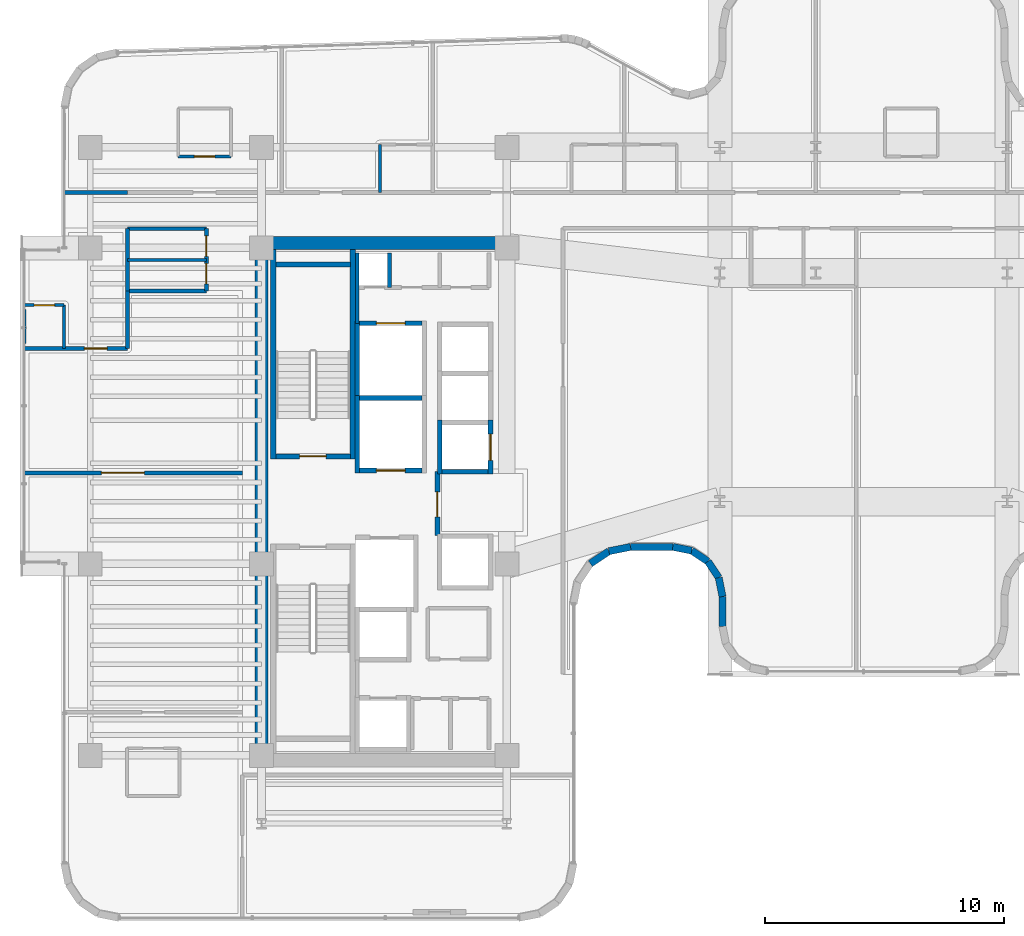
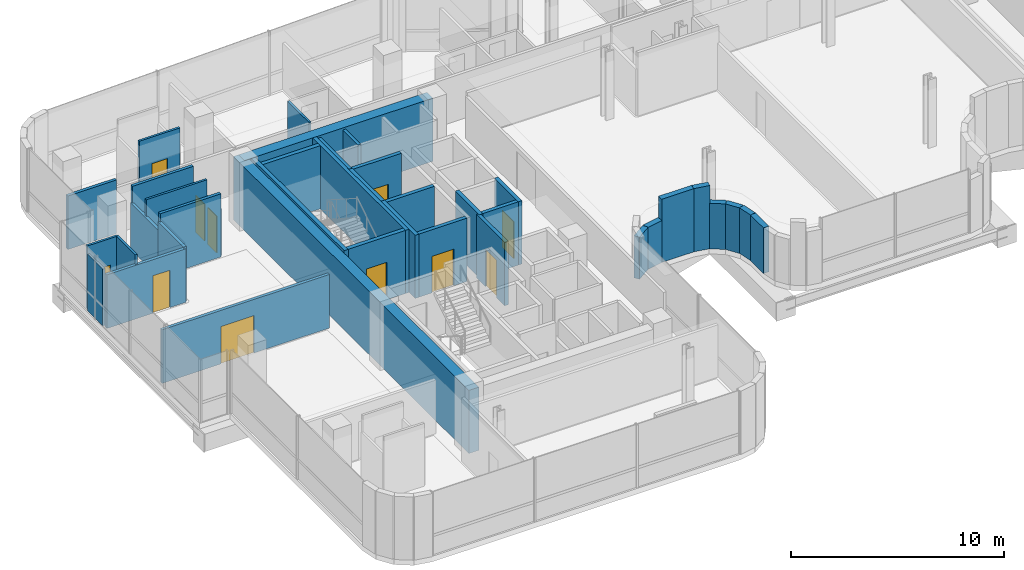
# One storey, part 27 of 36: 39 walls, 11 doors, 11 openings.
"""IFC4 building model written with IfcOpenShell, lengths in metres."""

from ifc_helpers import new_model, si_unit, direction, frame, frame_2d, origin, place, context, subcontext, project, spatial, rectangle, extrude, material, layer, layer_set, type_object, element, fill, save


model = new_model("IFC4")

# Units and contexts
model_context = context("Model", 3, precision=1e-05, world=origin(), true_north=direction((0.0, 1.0)))
body_context = subcontext(model_context, "Body", "Model", "MODEL_VIEW")
ifc_project = project(units=[si_unit("LENGTHUNIT", "METRE"), si_unit("AREAUNIT", "SQUARE_METRE"), si_unit("VOLUMEUNIT", "CUBIC_METRE"), si_unit("PLANEANGLEUNIT", "RADIAN"), si_unit("MASSUNIT", "GRAM", prefix="KILO")], contexts=[model_context])

# Site, building, storey
site_placement = place(None, origin())
site = spatial("IfcSite", under=ifc_project, at=site_placement, CompositionType="ELEMENT")
building_placement = place(site_placement, origin())
building = spatial("IfcBuilding", under=site, at=building_placement, Name="Valdorenza Pilgrim Sanctuary Tower", CompositionType="ELEMENT")
storey_placement = place(building_placement, frame((0.0, 0.0, 176.550048828125)))
storey = spatial("IfcBuildingStorey", under=building, at=storey_placement, Name="L45", CompositionType="ELEMENT", Elevation=176.550048828125)

# Walls
ifc_material_1 = material(Name="Acoustic twin-stud gypsum partition", Category="gypsum")
ifc_layer_1 = layer(ifc_material_1, 0.159912109375, Name="Acoustic twin-stud gypsum partition")
ifc_layer_set_1 = layer_set([ifc_layer_1], Name="Acoustic twin-stud gypsum partition")
wall_type_1 = type_object("IfcWallType", Name="WAL-COR-160", PredefinedType="PARTITIONING", material=ifc_layer_set_1)
wall_1_placement = place(storey_placement, frame((-18.64990234375, 7.449951171875, 0.0), z_axis=(0.0, 0.0, 1.0), x_axis=(0.0, 1.0, 0.0)))
element("IfcWall", 1, at=wall_1_placement, inside=storey, type_object=wall_type_1, Name="L45 Core A North Service West Wall", PredefinedType="PARTITIONING", context=body_context, shape_type="SweptSolid", body=[
    extrude(rectangle(XDim=2.929931640625, YDim=0.159912109375, at=frame_2d((1.46484375, 0.0))), origin(), (0.0, 0.0, 1.0), 3.6298828125),
])
wall_2_placement = place(storey_placement, frame((-17.300048828125, 8.949951171875, 0.0), z_axis=(0.0, 0.0, 1.0), x_axis=(0.0, 1.0, 0.0)))
element("IfcWall", 2, at=wall_2_placement, inside=storey, type_object=wall_type_1, Name="L45 Core Electrical Riser Wall", PredefinedType="PARTITIONING", context=body_context, shape_type="SweptSolid", body=[
    extrude(rectangle(XDim=1.429931640625, YDim=0.159912109375, at=frame_2d((0.71484375, 0.0))), origin(), (0.0, 0.0, 1.0), 3.6298828125),
])
wall_3_placement = place(storey_placement, frame((-28.25, 8.800048828125, 0.0), z_axis=(0.0, 0.0, 1.0), x_axis=(0.0, 1.0, 0.0)))
element("IfcWall", 3, at=wall_3_placement, inside=storey, type_object=wall_type_1, Name="L45 Washroom West Wall", PredefinedType="PARTITIONING", context=body_context, shape_type="SweptSolid", body=[
    extrude(rectangle(XDim=2.599853515625, YDim=0.159912109375, at=frame_2d((1.2998046875, 0.0))), origin(), (0.0, 0.0, 1.0), 2.6650390625),
])

# Wall, openings, doors
wall_4_placement = place(storey_placement, frame((-24.949951171875, 8.800048828125, 0.0), z_axis=(0.0, 0.0, 1.0), x_axis=(0.0, 1.0, 0.0)))
wall_4 = element("IfcWall", 4, at=wall_4_placement, inside=storey, type_object=wall_type_1, Name="L45 Washroom East Wall", PredefinedType="PARTITIONING", context=body_context, shape_type="SweptSolid", body=[
    extrude(rectangle(XDim=2.599853515625, YDim=0.159912109375, at=frame_2d((1.2998046875, 0.0))), origin(), (0.0, 0.0, 1.0), 2.6650390625),
])
opening_1_placement = place(wall_4_placement, frame((0.300048828125, 0.0, 0.0)))
opening_1 = element("IfcOpeningElement", 5, at=opening_1_placement, cuts=wall_4, Name="Opening DR-WC1", PredefinedType="OPENING", context=body_context, shape_type="SweptSolid", body=[
    extrude(rectangle(XDim=0.85009765625, YDim=2.10009765625, at=frame_2d((0.425048828125, 1.050048828125))), frame((0.0, 0.0947265625, 0.0), z_axis=(0.0, -1.0, 0.0), x_axis=(1.0, 0.0, 0.0)), (0.0, 0.0, 1.0), 0.189697265625),
])
opening_2_placement = place(wall_4_placement, frame((1.449951171875, 0.0, 0.0)))
opening_2 = element("IfcOpeningElement", 6, at=opening_2_placement, cuts=wall_4, Name="Opening DR-WC1", PredefinedType="OPENING", context=body_context, shape_type="SweptSolid", body=[
    extrude(rectangle(XDim=0.85009765625, YDim=2.10009765625, at=frame_2d((0.425048828125, 1.050048828125))), frame((0.0, 0.0947265625, 0.0), z_axis=(0.0, -1.0, 0.0), x_axis=(1.0, 0.0, 0.0)), (0.0, 0.0, 1.0), 0.189697265625),
])
ifc_material_2 = material(Name="Moisture-resistant lacquered timber", Category="wood")
door_type_1 = type_object("IfcDoorType", Name="DR-BATH-850", OperationType="NOTDEFINED", PredefinedType="DOOR", material=ifc_material_2)
door_1_placement = place(opening_1_placement, origin())
door_1 = element("IfcDoor", 7, at=door_1_placement, inside=storey, type_object=door_type_1, Name="L45 Accessible Washroom Door", OperationType="SINGLE_SWING_LEFT", OverallHeight=2.10009765625, OverallWidth=0.85009765625, PredefinedType="DOOR", context=body_context, shape_type="SweptSolid", body=[
    extrude(rectangle(XDim=0.85009765625, YDim=2.10009765625, at=frame_2d((0.425048828125, 1.050048828125))), frame((0.0, 0.02490234375, 0.0), z_axis=(0.0, -1.0, 0.0), x_axis=(1.0, 0.0, 0.0)), (0.0, 0.0, 1.0), 0.050048828125),
])
fill(opening_1, door_1)
door_2_placement = place(opening_2_placement, origin())
door_2 = element("IfcDoor", 8, at=door_2_placement, inside=storey, type_object=door_type_1, Name="L45 Public Washroom Door", OperationType="SINGLE_SWING_RIGHT", OverallHeight=2.10009765625, OverallWidth=0.85009765625, PredefinedType="DOOR", context=body_context, shape_type="SweptSolid", body=[
    extrude(rectangle(XDim=0.85009765625, YDim=2.10009765625, at=frame_2d((0.425048828125, 1.050048828125))), frame((0.0, 0.02490234375, 0.0), z_axis=(0.0, -1.0, 0.0), x_axis=(1.0, 0.0, 0.0)), (0.0, 0.0, 1.0), 0.050048828125),
])
fill(opening_2, door_2)

# Walls
for number, where, z_axis, x_axis, name in (
    (9, (-28.25, 8.800048828125, 0.0), (0.0, 0.0, 1.0), (1.0, 0.0, 0.0), "L45 Washroom South Wall"),
    (10, (-28.25, 11.39990234375, 0.0), (0.0, 0.0, 1.0), (1.0, 0.0, 0.0), "L45 Washroom North Wall"),
):
    element("IfcWall", number, at=place(storey_placement, frame(where, z_axis=z_axis, x_axis=x_axis)), inside=storey, type_object=wall_type_1, Name=name, PredefinedType="PARTITIONING", context=body_context, shape_type="SweptSolid", body=[
        extrude(rectangle(XDim=3.300048828125, YDim=0.159912109375, at=frame_2d((1.64990234375, 0.0))), origin(), (0.0, 0.0, 1.0), 3.6298828125),
    ])

# Wall, opening, door
wall_5_placement = place(storey_placement, frame((-32.5400390625, 6.39990234375, 0.0), z_axis=(0.0, 0.0, 1.0), x_axis=(1.0, 0.0, 0.0)))
wall_5 = element("IfcWall", 11, at=wall_5_placement, inside=storey, type_object=wall_type_1, Name="L45 Cloister North Room Wall", PredefinedType="PARTITIONING", context=body_context, shape_type="SweptSolid", body=[
    extrude(rectangle(XDim=4.2900390625, YDim=0.159912109375, at=frame_2d((2.14501953125, 0.0))), origin(), (0.0, 0.0, 1.0), 3.075927734375),
])
opening_3_placement = place(wall_5_placement, frame((2.4951171875, 0.0, 0.0)))
opening_3 = element("IfcOpeningElement", 12, at=opening_3_placement, cuts=wall_5, Name="Opening DR-UN1", PredefinedType="OPENING", context=body_context, shape_type="SweptSolid", body=[
    extrude(rectangle(XDim=0.949951171875, YDim=2.14990234375, at=frame_2d((0.47509765625, 1.074951171875))), frame((0.0, 0.0947265625, 0.0), z_axis=(0.0, -1.0, 0.0), x_axis=(1.0, 0.0, 0.0)), (0.0, 0.0, 1.0), 0.189697265625),
])
ifc_material_3 = material(Name="Solid-core European oak timber", Category="wood")
door_type_2 = type_object("IfcDoorType", Name="DR-UNIT-950", OperationType="NOTDEFINED", PredefinedType="DOOR", material=ifc_material_3)
door_3_placement = place(opening_3_placement, frame((0.949951171875, 0.0, 0.0), z_axis=(0.0, 0.0, 1.0), x_axis=(-1.0, 0.0, 0.0)))
door_3 = element("IfcDoor", 13, at=door_3_placement, inside=storey, type_object=door_type_2, Name="L45 Pilgrim Guest Room L45-CN1 Entrance Door", OperationType="SINGLE_SWING_LEFT", OverallHeight=2.14990234375, OverallWidth=0.949951171875, PredefinedType="DOOR", context=body_context, shape_type="SweptSolid", body=[
    extrude(rectangle(XDim=0.949951171875, YDim=2.14990234375, at=frame_2d((0.47509765625, 1.074951171875))), frame((0.0, 0.02490234375, 0.0), z_axis=(0.0, -1.0, 0.0), x_axis=(1.0, 0.0, 0.0)), (0.0, 0.0, 1.0), 0.050048828125),
])
fill(opening_3, door_3)

# Wall
wall_6_placement = place(storey_placement, frame((-28.25, 6.39990234375, 0.0), z_axis=(0.0, 0.0, 1.0), x_axis=(0.0, 1.0, 0.0)))
element("IfcWall", 14, at=wall_6_placement, inside=storey, type_object=wall_type_1, Name="L45 Cloister NE Closure", PredefinedType="PARTITIONING", context=body_context, shape_type="SweptSolid", body=[
    extrude(rectangle(XDim=2.400146484375, YDim=0.159912109375, at=frame_2d((1.2001953125, 0.0))), origin(), (0.0, 0.0, 1.0), 3.157958984375),
])

# Wall, opening, door
wall_7_placement = place(storey_placement, frame((-32.5400390625, 1.199951171875, 0.0), z_axis=(0.0, 0.0, 1.0), x_axis=(1.0, 0.0, 0.0)))
wall_7 = element("IfcWall", 15, at=wall_7_placement, inside=storey, type_object=wall_type_1, Name="L45 Cloister Mid Wall", PredefinedType="PARTITIONING", context=body_context, shape_type="SweptSolid", body=[
    extrude(rectangle(XDim=9.090087890625, YDim=0.159912109375, at=frame_2d((4.544921875, 0.0))), origin(), (0.0, 0.0, 1.0), 3.075927734375),
])
opening_4_placement = place(wall_7_placement, frame((3.199951171875, 0.0, 0.0)))
opening_4 = element("IfcOpeningElement", 16, at=opening_4_placement, cuts=wall_7, Name="Opening DR-HL1", PredefinedType="OPENING", context=body_context, shape_type="SweptSolid", body=[
    extrude(rectangle(XDim=1.800048828125, YDim=2.14990234375, at=frame_2d((0.89990234375, 1.074951171875))), frame((0.0, 0.0947265625, 0.0), z_axis=(0.0, -1.0, 0.0), x_axis=(1.0, 0.0, 0.0)), (0.0, 0.0, 1.0), 0.189697265625),
])
ifc_material_4 = material(Name="Acoustic oak and vision-glass double door", Category="glass")
door_type_3 = type_object("IfcDoorType", Name="DR-HALL-1800", OperationType="NOTDEFINED", PredefinedType="DOOR", material=ifc_material_4)
door_4_placement = place(opening_4_placement, frame((1.800048828125, 0.0, 0.0), z_axis=(0.0, 0.0, 1.0), x_axis=(-1.0, 0.0, 0.0)))
door_4 = element("IfcDoor", 17, at=door_4_placement, inside=storey, type_object=door_type_3, Name="L45 Cloister Mid Double Door", OperationType="DOUBLE_DOOR_SINGLE_SWING", OverallHeight=2.14990234375, OverallWidth=1.800048828125, PredefinedType="DOOR", context=body_context, shape_type="SweptSolid", body=[
    extrude(rectangle(XDim=1.800048828125, YDim=2.14990234375, at=frame_2d((0.89990234375, 1.074951171875))), frame((0.0, 0.02490234375, 0.0), z_axis=(0.0, -1.0, 0.0), x_axis=(1.0, 0.0, 0.0)), (0.0, 0.0, 1.0), 0.050048828125),
])
fill(opening_4, door_4)

# Walls
wall_8_placement = place(storey_placement, frame((-30.889892578125, 12.919921875, 0.0), z_axis=(0.0, 0.0, 1.0), x_axis=(1.0, 0.0, 0.0)))
element("IfcWall", 18, at=wall_8_placement, inside=storey, type_object=wall_type_1, Name="L45 Cloister North Solid Partition", PredefinedType="PARTITIONING", context=body_context, shape_type="SweptSolid", body=[
    extrude(rectangle(XDim=2.639892578125, YDim=0.159912109375, at=frame_2d((1.31982421875, 0.0))), origin(), (0.0, 0.0, 1.0), 3.075927734375),
])
ifc_material_5 = material(Name="Concrete C50/60", Category="concrete")
ifc_layer_2 = layer(ifc_material_5, 0.550048828125, Name="Concrete C50/60")
ifc_layer_set_2 = layer_set([ifc_layer_2], Name="Concrete C50/60")
wall_type_2 = type_object("IfcWallType", Name="WAL-COR-550", PredefinedType="SHEAR", material=ifc_layer_set_2)
wall_9_placement = place(storey_placement, frame((-22.64990234375, -11.074951171875, 0.0), z_axis=(0.0, 0.0, 1.0), x_axis=(0.0, 1.0, 0.0)))
element("IfcWall", 19, at=wall_9_placement, inside=storey, type_object=wall_type_2, Name="L45 Split Core A Shear Wall W", PredefinedType="SHEAR", context=body_context, shape_type="SweptSolid", body=[
    extrude(rectangle(XDim=22.14990234375, YDim=0.550048828125, at=frame_2d((11.074951171875, 0.0))), origin(), (0.0, 0.0, 1.0), 3.6298828125),
])
wall_10_placement = place(storey_placement, frame((-22.64990234375, 10.800048828125, 0.0), z_axis=(0.0, 0.0, 1.0), x_axis=(1.0, 0.0, 0.0)))
element("IfcWall", 20, at=wall_10_placement, inside=storey, type_object=wall_type_2, Name="L45 Split Core A Shear Wall N", PredefinedType="SHEAR", context=body_context, shape_type="SweptSolid", body=[
    extrude(rectangle(XDim=10.25, YDim=0.550048828125, at=frame_2d((5.125, 0.0))), origin(), (0.0, 0.0, 1.0), 3.6298828125),
])
ifc_material_6 = material(Name="Honed travertine limestone", Category="masonry")
ifc_layer_3 = layer(ifc_material_6, 0.300048828125, Name="Honed travertine limestone")
ifc_layer_set_3 = layer_set([ifc_layer_3], Name="Honed travertine limestone")
wall_type_3 = type_object("IfcWallType", Name="WAL-EXT-300", PredefinedType="SOLIDWALL", material=ifc_layer_set_3)
wall_11_placement = place(storey_placement, frame((-3.389892578125, -5.213134765625, 0.0), z_axis=(0.0, 0.0, 1.0), x_axis=(0.0, 1.0, 0.0)))
element("IfcWall", 21, at=wall_11_placement, inside=storey, type_object=wall_type_3, Name="L45 Rounded Wind-Corner Stone Pier 67", PredefinedType="SOLIDWALL", context=body_context, shape_type="SweptSolid", body=[
    extrude(rectangle(XDim=1.248046875, YDim=0.300048828125, at=frame_2d((0.6240234375, 0.0))), origin(), (0.0, 0.0, 1.0), 2.614990234375),
])
wall_12_placement = place(storey_placement, frame((-3.389892578125, -3.965087890625, 0.0), z_axis=(0.0, 0.0, 1.0), x_axis=(-0.195356525272, 0.980732291726, 0.0)))
element("IfcWall", 22, at=wall_12_placement, inside=storey, type_object=wall_type_3, Name="L45 Rounded Wind-Corner Stone Pier 68", PredefinedType="SOLIDWALL", context=body_context, shape_type="SweptSolid", body=[
    extrude(rectangle(XDim=0.803466796875, YDim=0.300048828125, at=frame_2d((0.40185546875, 0.0))), origin(), (0.0, 0.0, 1.0), 2.614990234375),
])
for number, where, z_axis, x_axis, name in (
    (23, (-3.546875, -3.177001953125, 0.0), (0.0, 0.0, 1.0), (-0.555529688413, 0.831496701913, 0.0), "L45 Rounded Wind-Corner Stone Pier 69"),
    (24, (-3.99951171875, -2.49951171875, 0.0), (0.0, 0.0, 1.0), (-0.831496701913, 0.555529688413, 0.0), "L45 Rounded Wind-Corner Stone Pier 70"),
):
    element("IfcWall", number, at=place(storey_placement, frame(where, z_axis=z_axis, x_axis=x_axis)), inside=storey, type_object=wall_type_3, Name=name, PredefinedType="SOLIDWALL", context=body_context, shape_type="SweptSolid", body=[
        extrude(rectangle(XDim=0.814697265625, YDim=0.300048828125, at=frame_2d((0.4072265625, 0.0))), origin(), (0.0, 0.0, 1.0), 2.614990234375),
    ])
wall_13_placement = place(storey_placement, frame((-4.677001953125, -2.046875, 0.0), z_axis=(0.0, 0.0, 1.0), x_axis=(-0.980732291726, 0.195356525272, 0.0)))
element("IfcWall", 25, at=wall_13_placement, inside=storey, type_object=wall_type_3, Name="L45 Rounded Wind-Corner Stone Pier 71", PredefinedType="SOLIDWALL", context=body_context, shape_type="SweptSolid", body=[
    extrude(rectangle(XDim=0.803466796875, YDim=0.300048828125, at=frame_2d((0.40185546875, 0.0))), origin(), (0.0, 0.0, 1.0), 3.6298828125),
])
wall_14_placement = place(storey_placement, frame((-5.465087890625, -1.889892578125, 0.0), z_axis=(0.0, 0.0, 1.0), x_axis=(-1.0, 0.0, 0.0)))
element("IfcWall", 26, at=wall_14_placement, inside=storey, type_object=wall_type_3, Name="L45 Rounded Wind-Corner Stone Pier 72", PredefinedType="SOLIDWALL", context=body_context, shape_type="SweptSolid", body=[
    extrude(rectangle(XDim=1.765625, YDim=0.300048828125, at=frame_2d((0.8828125, 0.0))), origin(), (0.0, 0.0, 1.0), 3.6298828125),
])
wall_15_placement = place(storey_placement, frame((-7.230712890625, -1.889892578125, 0.0), z_axis=(0.0, 0.0, 1.0), x_axis=(-0.980743190895, -0.195301801101, 0.0)))
element("IfcWall", 27, at=wall_15_placement, inside=storey, type_object=wall_type_3, Name="L45 Rounded Wind-Corner Stone Pier 73", PredefinedType="SOLIDWALL", context=body_context, shape_type="SweptSolid", body=[
    extrude(rectangle(XDim=0.922607421875, YDim=0.300048828125, at=frame_2d((0.46142578125, 0.0))), origin(), (0.0, 0.0, 1.0), 2.4150390625),
])
wall_16_placement = place(storey_placement, frame((-8.135498046875, -2.070068359375, 0.0), z_axis=(0.0, 0.0, 1.0), x_axis=(-0.831607331814, -0.555364065883, 0.0)))
element("IfcWall", 28, at=wall_16_placement, inside=storey, type_object=wall_type_3, Name="L45 Rounded Wind-Corner Stone Pier 74", PredefinedType="SOLIDWALL", context=body_context, shape_type="SweptSolid", body=[
    extrude(rectangle(XDim=0.933349609375, YDim=0.300048828125, at=frame_2d((0.466796875, 0.0))), origin(), (0.0, 0.0, 1.0), 2.4150390625),
])

# Wall, opening, door
ifc_material_7 = material(Name="Gypsum shaftwall partition", Category="gypsum")
ifc_layer_4 = layer(ifc_material_7, 0.199951171875, Name="Gypsum shaftwall partition")
ifc_layer_set_4 = layer_set([ifc_layer_4], Name="Gypsum shaftwall partition")
wall_type_4 = type_object("IfcWallType", Name="WAL-FFL-200", PredefinedType="PARTITIONING", material=ifc_layer_set_4)
wall_17_placement = place(storey_placement, frame((-15.300048828125, -1.419921875, 0.0), z_axis=(0.0, 0.0, 1.0), x_axis=(0.0, 1.0, 0.0)))
wall_17 = element("IfcWall", 29, at=wall_17_placement, inside=storey, type_object=wall_type_4, Name="L45 Core A Firefighting Lobby East Wall", PredefinedType="PARTITIONING", context=body_context, shape_type="SweptSolid", body=[
    extrude(rectangle(XDim=2.669921875, YDim=0.199951171875, at=frame_2d((1.3349609375, 0.0))), origin(), (0.0, 0.0, 1.0), 3.6298828125),
])
opening_5_placement = place(wall_17_placement, frame((0.780029296875, 0.0, 0.0)))
opening_5 = element("IfcOpeningElement", 30, at=opening_5_placement, cuts=wall_17, Name="Opening DR-FL1", PredefinedType="OPENING", context=body_context, shape_type="SweptSolid", body=[
    extrude(rectangle(XDim=1.050048828125, YDim=2.14990234375, at=frame_2d((0.52490234375, 1.074951171875))), frame((0.0, 0.11474609375, 0.0), z_axis=(0.0, -1.0, 0.0), x_axis=(1.0, 0.0, 0.0)), (0.0, 0.0, 1.0), 0.229736328125),
])
ifc_material_8 = material(Name="Painted galvanized steel", Category="steel")
door_type_4 = type_object("IfcDoorType", Name="DR-FFL-1050", OperationType="NOTDEFINED", PredefinedType="DOOR", material=ifc_material_8)
door_5_placement = place(opening_5_placement, origin())
door_5 = element("IfcDoor", 31, at=door_5_placement, inside=storey, type_object=door_type_4, Name="L45 Core A Firefighting Lobby Door", OperationType="SINGLE_SWING_RIGHT", OverallHeight=2.14990234375, OverallWidth=1.050048828125, PredefinedType="DOOR", context=body_context, shape_type="SweptSolid", body=[
    extrude(rectangle(XDim=1.050048828125, YDim=2.14990234375, at=frame_2d((0.52490234375, 1.074951171875))), frame((0.0, 0.02490234375, 0.0), z_axis=(0.0, -1.0, 0.0), x_axis=(1.0, 0.0, 0.0)), (0.0, 0.0, 1.0), 0.050048828125),
])
fill(opening_5, door_5)

# Walls
ifc_material_9 = material(Name="Moisture-resistant gypsum partition", Category="gypsum")
ifc_layer_5 = layer(ifc_material_9, 0.1201171875, Name="Moisture-resistant gypsum partition")
ifc_layer_set_5 = layer_set([ifc_layer_5], Name="Moisture-resistant gypsum partition")
wall_type_5 = type_object("IfcWallType", Name="WAL-INT-120", PredefinedType="PARTITIONING", material=ifc_layer_set_5)
wall_18_placement = place(storey_placement, frame((-28.25, 10.10009765625, 0.0), z_axis=(0.0, 0.0, 1.0), x_axis=(1.0, 0.0, 0.0)))
element("IfcWall", 32, at=wall_18_placement, inside=storey, type_object=wall_type_5, Name="L45 Washroom Divider Wall", PredefinedType="PARTITIONING", context=body_context, shape_type="SweptSolid", body=[
    extrude(rectangle(XDim=3.300048828125, YDim=0.1201171875, at=frame_2d((1.64990234375, 0.0))), origin(), (0.0, 0.0, 1.0), 3.6298828125),
])
wall_19_placement = place(storey_placement, frame((-30.889892578125, 6.39990234375, 0.0), z_axis=(0.0, 0.0, 1.0), x_axis=(0.0, 1.0, 0.0)))
element("IfcWall", 33, at=wall_19_placement, inside=storey, type_object=wall_type_5, Name="L45 Pilgrim Guest Room L45-CN1 En-suite East Wall", PredefinedType="PARTITIONING", context=body_context, shape_type="SweptSolid", body=[
    extrude(rectangle(XDim=1.80712890625, YDim=0.1201171875, at=frame_2d((0.903564453125, 0.0))), origin(), (0.0, 0.0, 1.0), 3.6298828125),
])

# Wall, opening, door
wall_20_placement = place(storey_placement, frame((-32.5400390625, 8.20703125, 0.0), z_axis=(0.0, 0.0, 1.0), x_axis=(1.0, 0.0, 0.0)))
wall_20 = element("IfcWall", 34, at=wall_20_placement, inside=storey, type_object=wall_type_5, Name="L45 Pilgrim Guest Room L45-CN1 En-suite Door Wall", PredefinedType="PARTITIONING", context=body_context, shape_type="SweptSolid", body=[
    extrude(rectangle(XDim=1.650146484375, YDim=0.1201171875, at=frame_2d((0.8251953125, 0.0))), origin(), (0.0, 0.0, 1.0), 3.6298828125),
])
opening_6_placement = place(wall_20_placement, frame((0.39990234375, 0.0, 0.0)))
opening_6 = element("IfcOpeningElement", 35, at=opening_6_placement, cuts=wall_20, Name="Opening DR-WC1", PredefinedType="OPENING", context=body_context, shape_type="SweptSolid", body=[
    extrude(rectangle(XDim=0.85009765625, YDim=2.10009765625, at=frame_2d((0.425048828125, 1.050048828125))), frame((0.0, 0.074951171875, 0.0), z_axis=(0.0, -1.0, 0.0), x_axis=(1.0, 0.0, 0.0)), (0.0, 0.0, 1.0), 0.14990234375),
])
door_6_placement = place(opening_6_placement, origin())
door_6 = element("IfcDoor", 36, at=door_6_placement, inside=storey, type_object=door_type_1, Name="L45 Pilgrim Guest Room L45-CN1 En-suite Bathroom Door", OperationType="SINGLE_SWING_RIGHT", OverallHeight=2.10009765625, OverallWidth=0.85009765625, PredefinedType="DOOR", context=body_context, shape_type="SweptSolid", body=[
    extrude(rectangle(XDim=0.85009765625, YDim=2.10009765625, at=frame_2d((0.425048828125, 1.050048828125))), frame((0.0, 0.02490234375, 0.0), z_axis=(0.0, -1.0, 0.0), x_axis=(1.0, 0.0, 0.0)), (0.0, 0.0, 1.0), 0.050048828125),
])
fill(opening_6, door_6)

# Wall
wall_21_placement = place(storey_placement, frame((-32.5400390625, 6.60009765625, 0.0), z_axis=(0.0, 0.0, 1.0), x_axis=(0.0, 1.0, 0.0)))
element("IfcWall", 37, at=wall_21_placement, inside=storey, type_object=wall_type_5, Name="L45 CL-NG1-ENS Enclosure Wall W", PredefinedType="PARTITIONING", context=body_context, shape_type="SweptSolid", body=[
    extrude(rectangle(XDim=1.427001953125, YDim=0.1201171875, at=frame_2d((0.71337890625, 0.0))), origin(), (0.0, 0.0, 1.0), 3.263916015625),
])

# Wall, opening, door
wall_22_placement = place(storey_placement, frame((-26.125, 14.419921875, 0.0), z_axis=(0.0, 0.0, 1.0), x_axis=(1.0, 0.0, 0.0)))
wall_22 = element("IfcWall", 38, at=wall_22_placement, inside=storey, type_object=wall_type_5, Name="L45 North Guest Room L45-N1 En-suite Door Wall", PredefinedType="PARTITIONING", context=body_context, shape_type="SweptSolid", body=[
    extrude(rectangle(XDim=2.199951171875, YDim=0.1201171875, at=frame_2d((1.10009765625, 0.0))), origin(), (0.0, 0.0, 1.0), 3.6298828125),
])
opening_7_placement = place(wall_22_placement, frame((0.675048828125, 0.0, 0.0)))
opening_7 = element("IfcOpeningElement", 39, at=opening_7_placement, cuts=wall_22, Name="Opening DR-WC1", PredefinedType="OPENING", context=body_context, shape_type="SweptSolid", body=[
    extrude(rectangle(XDim=0.85009765625, YDim=2.10009765625, at=frame_2d((0.425048828125, 1.050048828125))), frame((0.0, 0.074951171875, 0.0), z_axis=(0.0, -1.0, 0.0), x_axis=(1.0, 0.0, 0.0)), (0.0, 0.0, 1.0), 0.14990234375),
])
door_7_placement = place(opening_7_placement, origin())
door_7 = element("IfcDoor", 40, at=door_7_placement, inside=storey, type_object=door_type_1, Name="L45 North Guest Room L45-N1 En-suite Bathroom Door", OperationType="SINGLE_SWING_RIGHT", OverallHeight=2.10009765625, OverallWidth=0.85009765625, PredefinedType="DOOR", context=body_context, shape_type="SweptSolid", body=[
    extrude(rectangle(XDim=0.85009765625, YDim=2.10009765625, at=frame_2d((0.425048828125, 1.050048828125))), frame((0.0, 0.02490234375, 0.0), z_axis=(0.0, -1.0, 0.0), x_axis=(1.0, 0.0, 0.0)), (0.0, 0.0, 1.0), 0.050048828125),
])
fill(opening_7, door_7)

# Walls
wall_23_placement = place(storey_placement, frame((-17.699951171875, 12.919921875, 0.0), z_axis=(0.0, 0.0, 1.0), x_axis=(0.0, 1.0, 0.0)))
element("IfcWall", 41, at=wall_23_placement, inside=storey, type_object=wall_type_5, Name="L45 North Guest Room L45-N2 En-suite West Wall", PredefinedType="PARTITIONING", context=body_context, shape_type="SweptSolid", body=[
    extrude(rectangle(XDim=2.0, YDim=0.1201171875, at=frame_2d((1.0, 0.0))), origin(), (0.0, 0.0, 1.0), 2.6650390625),
])
ifc_material_10 = material(Name="Autoclaved aerated concrete blockwork", Category="masonry")
ifc_layer_6 = layer(ifc_material_10, 0.199951171875, Name="Autoclaved aerated concrete blockwork")
ifc_layer_set_6 = layer_set([ifc_layer_6], Name="Autoclaved aerated concrete blockwork")
wall_type_6 = type_object("IfcWallType", Name="WAL-SHF-200", PredefinedType="MOVABLE", material=ifc_layer_set_6)
wall_24_placement = place(storey_placement, frame((-18.64990234375, 1.199951171875, 0.0), z_axis=(0.0, 0.0, 1.0), x_axis=(0.0, 1.0, 0.0)))
element("IfcWall", 42, at=wall_24_placement, inside=storey, type_object=wall_type_6, Name="L45 Lift FFL-01 Hoistway Wall West", PredefinedType="MOVABLE", context=body_context, shape_type="SweptSolid", body=[
    extrude(rectangle(XDim=3.22509765625, YDim=0.199951171875, at=frame_2d((1.612548828125, 0.0))), origin(), (0.0, 0.0, 1.0), 3.6298828125),
])

# Wall, opening, door
wall_25_placement = place(storey_placement, frame((-18.550048828125, 1.300048828125, 0.0), z_axis=(0.0, 0.0, 1.0), x_axis=(1.0, 0.0, 0.0)))
wall_25 = element("IfcWall", 43, at=wall_25_placement, inside=storey, type_object=wall_type_6, Name="L45 Lift FFL-01 Hoistway Wall South", PredefinedType="MOVABLE", context=body_context, shape_type="SweptSolid", body=[
    extrude(rectangle(XDim=2.60009765625, YDim=0.199951171875, at=frame_2d((1.300048828125, 0.0))), origin(), (0.0, 0.0, 1.0), 3.6298828125),
])
opening_8_placement = place(wall_25_placement, frame((0.699951171875, 0.0, 0.0)))
opening_8 = element("IfcOpeningElement", 44, at=opening_8_placement, cuts=wall_25, Name="Opening LD-02", PredefinedType="OPENING", context=body_context, shape_type="SweptSolid", body=[
    extrude(rectangle(XDim=1.199951171875, YDim=2.10009765625, at=frame_2d((0.60009765625, 1.050048828125))), frame((0.0, 0.11474609375, 0.0), z_axis=(0.0, -1.0, 0.0), x_axis=(1.0, 0.0, 0.0)), (0.0, 0.0, 1.0), 0.229736328125),
])
ifc_material_11 = material(Name="Brushed stainless steel Grade 316", Category="steel")
door_type_5 = type_object("IfcDoorType", Name="DR-LFT-1200", OperationType="DOUBLE_DOOR_SLIDING", PredefinedType="DOOR", material=ifc_material_11)
door_8_placement = place(opening_8_placement, origin())
door_8 = element("IfcDoor", 45, at=door_8_placement, inside=storey, type_object=door_type_5, Name="L45 Lift FFL-01 Sliding Landing Door", OperationType="DOUBLE_DOOR_SLIDING", OverallHeight=2.10009765625, OverallWidth=1.199951171875, PredefinedType="DOOR", context=body_context, shape_type="SweptSolid", body=[
    extrude(rectangle(XDim=1.199951171875, YDim=2.10009765625, at=frame_2d((0.60009765625, 1.050048828125))), frame((0.0, 0.02490234375, 0.0), z_axis=(0.0, -1.0, 0.0), x_axis=(1.0, 0.0, 0.0)), (0.0, 0.0, 1.0), 0.050048828125),
])
fill(opening_8, door_8)

# Walls
wall_26_placement = place(storey_placement, frame((-18.550048828125, 4.324951171875, 0.0), z_axis=(0.0, 0.0, 1.0), x_axis=(1.0, 0.0, 0.0)))
element("IfcWall", 46, at=wall_26_placement, inside=storey, type_object=wall_type_6, Name="L45 Lift FFL-01 Hoistway Wall North", PredefinedType="MOVABLE", context=body_context, shape_type="SweptSolid", body=[
    extrude(rectangle(XDim=2.60009765625, YDim=0.199951171875, at=frame_2d((1.300048828125, 0.0))), origin(), (0.0, 0.0, 1.0), 3.6298828125),
])
wall_27_placement = place(storey_placement, frame((-18.64990234375, 4.22509765625, 0.0), z_axis=(0.0, 0.0, 1.0), x_axis=(0.0, 1.0, 0.0)))
element("IfcWall", 47, at=wall_27_placement, inside=storey, type_object=wall_type_6, Name="L45 Lift SVL-01 Hoistway Wall West", PredefinedType="MOVABLE", context=body_context, shape_type="SweptSolid", body=[
    extrude(rectangle(XDim=3.324951171875, YDim=0.199951171875, at=frame_2d((1.66259765625, 0.0))), origin(), (0.0, 0.0, 1.0), 3.6298828125),
])

# Wall, opening, door
wall_28_placement = place(storey_placement, frame((-18.550048828125, 7.449951171875, 0.0), z_axis=(0.0, 0.0, 1.0), x_axis=(1.0, 0.0, 0.0)))
wall_28 = element("IfcWall", 48, at=wall_28_placement, inside=storey, type_object=wall_type_6, Name="L45 Lift SVL-01 Hoistway Wall North", PredefinedType="MOVABLE", context=body_context, shape_type="SweptSolid", body=[
    extrude(rectangle(XDim=2.60009765625, YDim=0.199951171875, at=frame_2d((1.300048828125, 0.0))), origin(), (0.0, 0.0, 1.0), 3.6298828125),
])
opening_9_placement = place(wall_28_placement, frame((0.699951171875, 0.0, 0.0)))
opening_9 = element("IfcOpeningElement", 49, at=opening_9_placement, cuts=wall_28, Name="Opening LD-02", PredefinedType="OPENING", context=body_context, shape_type="SweptSolid", body=[
    extrude(rectangle(XDim=1.199951171875, YDim=2.10009765625, at=frame_2d((0.60009765625, 1.050048828125))), frame((0.0, 0.11474609375, 0.0), z_axis=(0.0, -1.0, 0.0), x_axis=(1.0, 0.0, 0.0)), (0.0, 0.0, 1.0), 0.229736328125),
])
door_9_placement = place(opening_9_placement, origin())
door_9 = element("IfcDoor", 50, at=door_9_placement, inside=storey, type_object=door_type_5, Name="L45 Lift SVL-01 Sliding Landing Door", OperationType="DOUBLE_DOOR_SLIDING", OverallHeight=2.10009765625, OverallWidth=1.199951171875, PredefinedType="DOOR", context=body_context, shape_type="SweptSolid", body=[
    extrude(rectangle(XDim=1.199951171875, YDim=2.10009765625, at=frame_2d((0.60009765625, 1.050048828125))), frame((0.0, 0.02490234375, 0.0), z_axis=(0.0, -1.0, 0.0), x_axis=(1.0, 0.0, 0.0)), (0.0, 0.0, 1.0), 0.050048828125),
])
fill(opening_9, door_9)

# Wall
wall_29_placement = place(storey_placement, frame((-15.199951171875, 1.14990234375, 0.0), z_axis=(0.0, 0.0, 1.0), x_axis=(0.0, 1.0, 0.0)))
element("IfcWall", 51, at=wall_29_placement, inside=storey, type_object=wall_type_6, Name="L45 Lift PL-06 Hoistway Wall West", PredefinedType="MOVABLE", context=body_context, shape_type="SweptSolid", body=[
    extrude(rectangle(XDim=2.25, YDim=0.199951171875, at=frame_2d((1.125, 0.0))), origin(), (0.0, 0.0, 1.0), 3.6298828125),
])

# Wall, opening, door
wall_30_placement = place(storey_placement, frame((-13.080078125, 1.14990234375, 0.0), z_axis=(0.0, 0.0, 1.0), x_axis=(0.0, 1.0, 0.0)))
wall_30 = element("IfcWall", 52, at=wall_30_placement, inside=storey, type_object=wall_type_6, Name="L45 Lift PL-06 Hoistway Wall East", PredefinedType="MOVABLE", context=body_context, shape_type="SweptSolid", body=[
    extrude(rectangle(XDim=2.25, YDim=0.199951171875, at=frame_2d((1.125, 0.0))), origin(), (0.0, 0.0, 1.0), 3.6298828125),
])
opening_10_placement = place(wall_30_placement, frame((0.574951171875, 0.0, 0.0)))
opening_10 = element("IfcOpeningElement", 53, at=opening_10_placement, cuts=wall_30, Name="Opening LD-01", PredefinedType="OPENING", context=body_context, shape_type="SweptSolid", body=[
    extrude(rectangle(XDim=1.10009765625, YDim=2.10009765625, at=frame_2d((0.550048828125, 1.050048828125))), frame((0.0, 0.11474609375, 0.0), z_axis=(0.0, -1.0, 0.0), x_axis=(1.0, 0.0, 0.0)), (0.0, 0.0, 1.0), 0.229736328125),
])
door_type_6 = type_object("IfcDoorType", Name="DR-LFT-1100", OperationType="DOUBLE_DOOR_SLIDING", PredefinedType="DOOR", material=ifc_material_11)
door_10_placement = place(opening_10_placement, origin())
door_10 = element("IfcDoor", 54, at=door_10_placement, inside=storey, type_object=door_type_6, Name="L45 Lift PL-06 Sliding Landing Door", OperationType="DOUBLE_DOOR_SLIDING", OverallHeight=2.10009765625, OverallWidth=1.10009765625, PredefinedType="DOOR", context=body_context, shape_type="SweptSolid", body=[
    extrude(rectangle(XDim=1.10009765625, YDim=2.10009765625, at=frame_2d((0.550048828125, 1.050048828125))), frame((0.0, 0.02490234375, 0.0), z_axis=(0.0, -1.0, 0.0), x_axis=(1.0, 0.0, 0.0)), (0.0, 0.0, 1.0), 0.050048828125),
])
fill(opening_10, door_10)

# Walls
wall_31_placement = place(storey_placement, frame((-15.10009765625, 1.25, 0.0), z_axis=(0.0, 0.0, 1.0), x_axis=(1.0, 0.0, 0.0)))
element("IfcWall", 55, at=wall_31_placement, inside=storey, type_object=wall_type_6, Name="L45 Lift PL-06 Hoistway Wall South", PredefinedType="MOVABLE", context=body_context, shape_type="SweptSolid", body=[
    extrude(rectangle(XDim=1.920166015625, YDim=0.199951171875, at=frame_2d((0.9599609375, 0.0))), origin(), (0.0, 0.0, 1.0), 3.6298828125),
])
ifc_material_12 = material(Name="Concrete C40/50", Category="concrete")
ifc_layer_7 = layer(ifc_material_12, 0.219970703125, Name="Concrete C40/50")
ifc_layer_set_7 = layer_set([ifc_layer_7], Name="Concrete C40/50")
wall_type_7 = type_object("IfcWallType", Name="WAL-STR-SHF-220", PredefinedType="SHEAR", material=ifc_layer_set_7)
for number, where, z_axis, x_axis, name in (
    (56, (-22.159912109375, 1.780029296875, 0.0), (0.0, 0.0, 1.0), (0.0, 1.0, 0.0), "L45 ST-A1 Structural Stairwell Wall W"),
    (57, (-18.830078125, 1.780029296875, 0.0), (0.0, 0.0, 1.0), (0.0, 1.0, 0.0), "L45 ST-A1 Structural Stairwell Wall E"),
):
    element("IfcWall", number, at=place(storey_placement, frame(where, z_axis=z_axis, x_axis=x_axis)), inside=storey, type_object=wall_type_7, Name=name, PredefinedType="SHEAR", context=body_context, shape_type="SweptSolid", body=[
        extrude(rectangle(XDim=8.744873046875, YDim=0.219970703125, at=frame_2d((4.37255859375, 0.0))), origin(), (0.0, 0.0, 1.0), 3.6298828125),
    ])

# Wall, opening, door
wall_32_placement = place(storey_placement, frame((-22.050048828125, 1.889892578125, 0.0), z_axis=(0.0, 0.0, 1.0), x_axis=(1.0, 0.0, 0.0)))
wall_32 = element("IfcWall", 58, at=wall_32_placement, inside=storey, type_object=wall_type_7, Name="L45 ST-A1 Structural Stairwell Wall S", PredefinedType="SHEAR", context=body_context, shape_type="SweptSolid", body=[
    extrude(rectangle(XDim=3.110107421875, YDim=0.219970703125, at=frame_2d((1.55517578125, 0.0))), origin(), (0.0, 0.0, 1.0), 3.6298828125),
])
opening_11_placement = place(wall_32_placement, frame((1.0, 0.0, 0.0)))
opening_11 = element("IfcOpeningElement", 59, at=opening_11_placement, cuts=wall_32, Name="Opening DR-ST1", PredefinedType="OPENING", context=body_context, shape_type="SweptSolid", body=[
    extrude(rectangle(XDim=1.10009765625, YDim=2.14990234375, at=frame_2d((0.550048828125, 1.074951171875))), frame((0.0, 0.125, 0.0), z_axis=(0.0, -1.0, 0.0), x_axis=(1.0, 0.0, 0.0)), (0.0, 0.0, 1.0), 0.249755859375),
])
door_type_7 = type_object("IfcDoorType", Name="DR-STAIR-1100", OperationType="NOTDEFINED", PredefinedType="DOOR", material=ifc_material_8)
door_11_placement = place(opening_11_placement, frame((1.10009765625, 0.0, 0.0), z_axis=(0.0, 0.0, 1.0), x_axis=(-1.0, 0.0, 0.0)))
door_11 = element("IfcDoor", 60, at=door_11_placement, inside=storey, type_object=door_type_7, Name="L45 Exit Stair ST-A1 Door", OperationType="SINGLE_SWING_LEFT", OverallHeight=2.14990234375, OverallWidth=1.10009765625, PredefinedType="DOOR", context=body_context, shape_type="SweptSolid", body=[
    extrude(rectangle(XDim=1.10009765625, YDim=2.14990234375, at=frame_2d((0.550048828125, 1.074951171875))), frame((0.0, 0.02490234375, 0.0), z_axis=(0.0, -1.0, 0.0), x_axis=(1.0, 0.0, 0.0)), (0.0, 0.0, 1.0), 0.050048828125),
])
fill(opening_11, door_11)

# Wall
wall_33_placement = place(storey_placement, frame((-22.050048828125, 9.909912109375, 0.0), z_axis=(0.0, 0.0, 1.0), x_axis=(1.0, 0.0, 0.0)))
element("IfcWall", 61, at=wall_33_placement, inside=storey, type_object=wall_type_7, Name="L45 ST-A1 Structural Stairwell Wall N", PredefinedType="SHEAR", context=body_context, shape_type="SweptSolid", body=[
    extrude(rectangle(XDim=3.110107421875, YDim=0.219970703125, at=frame_2d((1.55517578125, 0.0))), origin(), (0.0, 0.0, 1.0), 3.6298828125),
])

save(model, "model.ifc")
